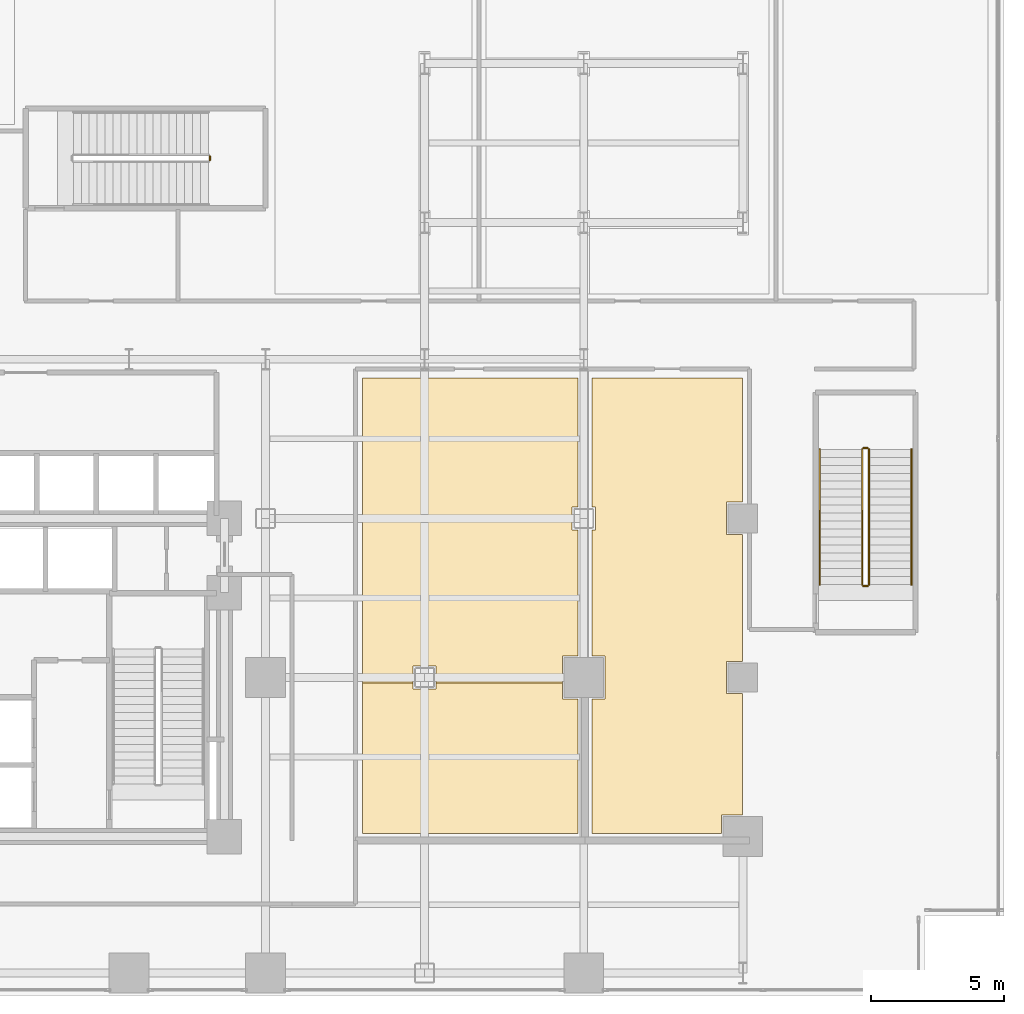
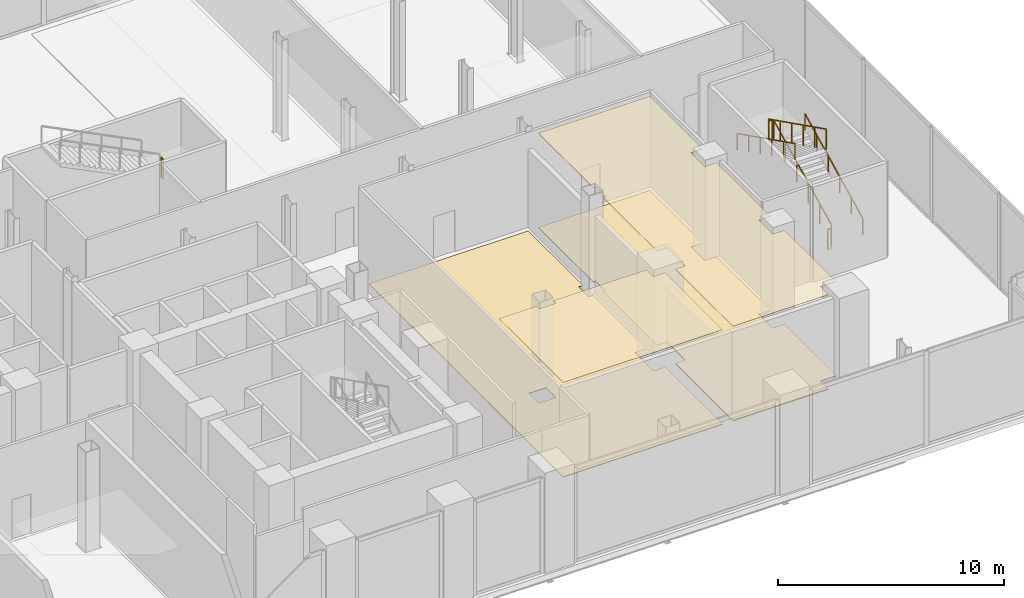
# One storey, part 26 of 27: 7 railings, 4 coverings.
"""IFC4 building model written with IfcOpenShell, lengths in metres."""

from ifc_helpers import new_model, si_unit, direction, frame, origin, origin_2d, place, context, subcontext, project, spatial, polyline, rectangle, outline, extrude, material, layer, layer_set, type_object, element, save


model = new_model("IFC4")

# Units and contexts
model_context = context("Model", 3, precision=1e-05, world=origin(), true_north=direction((0.0, 1.0)))
body_context = subcontext(model_context, "Body", "Model", "MODEL_VIEW")
ifc_project = project(units=[si_unit("LENGTHUNIT", "METRE"), si_unit("AREAUNIT", "SQUARE_METRE"), si_unit("VOLUMEUNIT", "CUBIC_METRE"), si_unit("PLANEANGLEUNIT", "RADIAN"), si_unit("MASSUNIT", "GRAM", prefix="KILO"), si_unit("THERMODYNAMICTEMPERATUREUNIT", "KELVIN"), si_unit("POWERUNIT", "WATT")], contexts=[model_context])

# Site, building, storey
site_placement = place(None, origin())
site = spatial("IfcSite", under=ifc_project, at=site_placement, CompositionType="ELEMENT")
building_placement = place(site_placement, origin())
building = spatial("IfcBuilding", under=site, at=building_placement, Name="Svarakhadi Broadcast Tower", CompositionType="ELEMENT")
storey_placement = place(building_placement, frame((0.0, 0.0, 5.699951171875)))
storey = spatial("IfcBuildingStorey", under=building, at=storey_placement, Name="L01", CompositionType="ELEMENT", Elevation=5.699951171875)

# Coverings
ifc_material_1 = material(Name="Micro-Perforated Mineral Fibre Acoustic Ceiling Tile", Category="mineral_fibre")
ifc_layer_1 = layer(ifc_material_1, 0.02490234375)
ifc_layer_set_1 = layer_set([ifc_layer_1], Name="Micro-Perforated Mineral Fibre Acoustic Ceiling Tile")
covering_type_1 = type_object("IfcCoveringType", Name="Cov_Ceiling_Tile", PredefinedType="CEILING", material=ifc_layer_set_1)
covering_1_placement = place(storey_placement, frame((0.0, 0.0, 5.10009765625)))
element("IfcCovering", 1, at=covering_1_placement, inside=storey, type_object=covering_type_1, Name="L01 L01 Television Production Studio A Acoustic Ceiling", PredefinedType="CEILING", context=body_context, shape_type="SweptSolid", body=[
    extrude(outline(polyline([(46.93994140625, 6.110107421875), (38.81005859375, 6.110107421875), (38.81005859375, 11.7900390625), (40.715087890625, 11.7900390625), (40.715087890625, 11.56494140625), (41.5849609375, 11.56494140625), (41.5849609375, 11.7900390625), (46.340087890625, 11.7900390625), (46.340087890625, 11.18994140625), (46.93994140625, 11.18994140625), (46.93994140625, 6.110107421875)])), origin(), (0.0, 0.0, 1.0), 0.02490234375),
])
covering_2_placement = place(storey_placement, frame((0.0, 0.0, 5.10009765625)))
element("IfcCovering", 2, at=covering_2_placement, inside=storey, type_object=covering_type_1, Name="L01 L01 Production Control Gallery Acoustic Ceiling", PredefinedType="CEILING", context=body_context, shape_type="SweptSolid", body=[
    extrude(outline(polyline([(53.139892578125, 23.2900390625), (53.139892578125, 18.610107421875), (52.5400390625, 18.610107421875), (52.5400390625, 17.389892578125), (53.139892578125, 17.389892578125), (53.139892578125, 12.610107421875), (52.5400390625, 12.610107421875), (52.5400390625, 11.389892578125), (53.139892578125, 11.389892578125), (53.139892578125, 6.81005859375), (52.340087890625, 6.81005859375), (52.340087890625, 6.110107421875), (47.4599609375, 6.110107421875), (47.4599609375, 11.18994140625), (47.9599609375, 11.18994140625), (47.9599609375, 12.81005859375), (47.4599609375, 12.81005859375), (47.4599609375, 17.56494140625), (47.5849609375, 17.56494140625), (47.5849609375, 18.43505859375), (47.4599609375, 18.43505859375), (47.4599609375, 23.2900390625), (53.139892578125, 23.2900390625)])), origin(), (0.0, 0.0, 1.0), 0.02490234375),
])
ifc_material_2 = material(Name="Heavy-Duty Anti-Static Broadcast Raised Access Floor", Category="steel")
ifc_layer_2 = layer(ifc_material_2, 0.050048828125)
ifc_layer_set_2 = layer_set([ifc_layer_2], Name="Heavy-Duty Anti-Static Broadcast Raised Access Floor")
covering_type_2 = type_object("IfcCoveringType", Name="Cov_Floor_Access", PredefinedType="FLOORING", material=ifc_layer_set_2)
covering_3_placement = place(storey_placement, origin())
element("IfcCovering", 3, at=covering_3_placement, inside=storey, type_object=covering_type_2, Name="L01 L01 Production Control Gallery Floor Finish", PredefinedType="FLOORING", context=body_context, shape_type="SweptSolid", body=[
    extrude(outline(polyline([(53.139892578125, 23.2900390625), (53.139892578125, 18.610107421875), (52.5400390625, 18.610107421875), (52.5400390625, 17.389892578125), (53.139892578125, 17.389892578125), (53.139892578125, 12.610107421875), (52.5400390625, 12.610107421875), (52.5400390625, 11.389892578125), (53.139892578125, 11.389892578125), (53.139892578125, 6.81005859375), (52.340087890625, 6.81005859375), (52.340087890625, 6.110107421875), (47.4599609375, 6.110107421875), (47.4599609375, 11.18994140625), (47.9599609375, 11.18994140625), (47.9599609375, 12.81005859375), (47.4599609375, 12.81005859375), (47.4599609375, 17.56494140625), (47.5849609375, 17.56494140625), (47.5849609375, 18.43505859375), (47.4599609375, 18.43505859375), (47.4599609375, 23.2900390625), (53.139892578125, 23.2900390625)])), origin(), (0.0, 0.0, 1.0), 0.050048828125),
])
ifc_material_3 = material(Name="Honed Konkan Basalt Stone Tile Flooring", Category="masonry")
ifc_layer_3 = layer(ifc_material_3, 0.034912109375)
ifc_layer_set_3 = layer_set([ifc_layer_3], Name="Honed Konkan Basalt Stone Tile Flooring")
covering_type_3 = type_object("IfcCoveringType", Name="Cov_Floor_Basalt", PredefinedType="FLOORING", material=ifc_layer_set_3)
covering_4_placement = place(storey_placement, origin())
element("IfcCovering", 4, at=covering_4_placement, inside=storey, type_object=covering_type_3, Name="L01 L01 Television Production Studio A Floor Finish", PredefinedType="FLOORING", context=body_context, shape_type="SweptSolid", body=[
    extrude(outline(polyline([(46.93994140625, 23.2900390625), (46.93994140625, 18.43505859375), (46.715087890625, 18.43505859375), (46.715087890625, 17.56494140625), (46.93994140625, 17.56494140625), (46.93994140625, 12.81005859375), (46.340087890625, 12.81005859375), (46.340087890625, 11.18994140625), (46.93994140625, 11.18994140625), (46.93994140625, 6.110107421875), (38.81005859375, 6.110107421875), (38.81005859375, 23.2900390625), (46.93994140625, 23.2900390625)]), holes=[polyline([(40.715087890625, 11.56494140625), (41.5849609375, 11.56494140625), (41.5849609375, 12.43505859375), (40.715087890625, 12.43505859375), (40.715087890625, 11.56494140625)])]), origin(), (0.0, 0.0, 1.0), 0.03515625),
])

# Railings
ifc_material_4 = material(Name="Anodised Bronze Aluminium AA 6063-T6", Category="aluminium")
railing_type_1 = type_object("IfcRailingType", Name="Guard_Stair_GR01", PredefinedType="GUARDRAIL", material=ifc_material_4)
railing_1_placement = place(storey_placement, frame((33.050048828125, 31.5, 2.699951171875)))
element("IfcRailing", 5, at=railing_1_placement, inside=storey, type_object=railing_type_1, Name="L01 ST-03 stair guard 2", PredefinedType="GUARDRAIL", context=body_context, shape_type="SweptSolid", body=[
    extrude(rectangle(XDim=0.048095703125, YDim=0.048095703125, at=origin_2d()), frame((0.0, 0.0, 1.09619140625), z_axis=(0.0, 1.0, 0.0), x_axis=(-1.0, 0.0, 0.0)), (0.0, 0.0, 1.0), 0.159912109375),
    extrude(rectangle(XDim=0.0419921875, YDim=0.0419921875, at=origin_2d()), origin(), (0.0, 0.0, 1.0), 1.072021484375),
    extrude(rectangle(XDim=0.0419921875, YDim=0.0419921875, at=origin_2d()), frame((0.0, 0.159912109375, 0.0)), (0.0, 0.0, 1.0), 1.072021484375),
])
railing_2_placement = place(storey_placement, frame((57.909912109375, 15.5, 0.150146484375)))
element("IfcRailing", 6, at=railing_2_placement, inside=storey, type_object=railing_type_1, Name="L01 ST-04 stair guard 1", PredefinedType="GUARDRAIL", context=body_context, shape_type="SweptSolid", body=[
    extrude(rectangle(XDim=0.048095703125, YDim=0.048095703125, at=origin_2d()), frame((0.0, 0.0, 1.09619140625), z_axis=(0.0, 0.89444431709, 0.44717934168), x_axis=(-1.0, 0.0, 0.0)), (0.0, 0.0, 1.0), 5.701904296875),
    extrude(rectangle(XDim=0.0419921875, YDim=0.0419921875, at=origin_2d()), origin(), (0.0, 0.0, 1.0), 1.072021484375),
    extrude(rectangle(XDim=0.0419921875, YDim=0.0419921875, at=origin_2d()), frame((0.0, 1.02001953125, 0.510009765625)), (0.0, 0.0, 1.0), 1.072021484375),
    extrude(rectangle(XDim=0.0419921875, YDim=0.0419921875, at=origin_2d()), frame((0.0, 2.0400390625, 1.02001953125)), (0.0, 0.0, 1.0), 1.072021484375),
    extrude(rectangle(XDim=0.0419921875, YDim=0.0419921875, at=origin_2d()), frame((0.0, 3.06005859375, 1.52978515625)), (0.0, 0.0, 1.0), 1.072021484375),
    extrude(rectangle(XDim=0.0419921875, YDim=0.0419921875, at=origin_2d()), frame((0.0, 4.080078125, 2.039794921875)), (0.0, 0.0, 1.0), 1.072021484375),
    extrude(rectangle(XDim=0.0419921875, YDim=0.0419921875, at=origin_2d()), frame((0.0, 5.10009765625, 2.5498046875)), (0.0, 0.0, 1.0), 1.072021484375),
])
railing_3_placement = place(storey_placement, frame((57.860107421875, 20.64990234375, 2.699951171875)))
element("IfcRailing", 7, at=railing_3_placement, inside=storey, type_object=railing_type_1, Name="L01 ST-04 stair guard 2", PredefinedType="GUARDRAIL", context=body_context, shape_type="SweptSolid", body=[
    extrude(rectangle(XDim=0.048095703125, YDim=0.048095703125, at=origin_2d()), frame((0.0, 0.0, 1.09619140625), z_axis=(-1.0, 0.0, 0.0), x_axis=(0.0, -1.0, 0.0)), (0.0, 0.0, 1.0), 0.16015625),
    extrude(rectangle(XDim=0.0419921875, YDim=0.0419921875, at=origin_2d()), origin(), (0.0, 0.0, 1.0), 1.072021484375),
    extrude(rectangle(XDim=0.0419921875, YDim=0.0419921875, at=origin_2d()), frame((-0.16015625, 0.0, 0.0)), (0.0, 0.0, 1.0), 1.072021484375),
])
railing_4_placement = place(storey_placement, frame((57.64990234375, 20.60009765625, 2.85009765625)))
element("IfcRailing", 8, at=railing_4_placement, inside=storey, type_object=railing_type_1, Name="L01 ST-04 stair guard 3", PredefinedType="GUARDRAIL", context=body_context, shape_type="SweptSolid", body=[
    extrude(rectangle(XDim=0.048095703125, YDim=0.048095703125, at=origin_2d()), frame((0.0, 0.0, 1.09619140625), z_axis=(0.0, -0.894427191, 0.4472135955), x_axis=(1.0, 0.0, 0.0)), (0.0, 0.0, 1.0), 5.7021484375),
    extrude(rectangle(XDim=0.0419921875, YDim=0.0419921875, at=origin_2d()), origin(), (0.0, 0.0, 1.0), 1.072021484375),
    extrude(rectangle(XDim=0.0419921875, YDim=0.0419921875, at=origin_2d()), frame((0.0, -1.02001953125, 0.510009765625)), (0.0, 0.0, 1.0), 1.072021484375),
    extrude(rectangle(XDim=0.0419921875, YDim=0.0419921875, at=origin_2d()), frame((0.0, -2.0400390625, 1.02001953125)), (0.0, 0.0, 1.0), 1.072021484375),
    extrude(rectangle(XDim=0.0419921875, YDim=0.0419921875, at=origin_2d()), frame((0.0, -3.06005859375, 1.530029296875)), (0.0, 0.0, 1.0), 1.072021484375),
    extrude(rectangle(XDim=0.0419921875, YDim=0.0419921875, at=origin_2d()), frame((0.0, -4.080078125, 2.0400390625)), (0.0, 0.0, 1.0), 1.072021484375),
    extrude(rectangle(XDim=0.0419921875, YDim=0.0419921875, at=origin_2d()), frame((0.0, -5.10009765625, 2.550048828125)), (0.0, 0.0, 1.0), 1.072021484375),
])
railing_5_placement = place(storey_placement, frame((57.860107421875, 15.449951171875, 0.0)))
element("IfcRailing", 9, at=railing_5_placement, inside=storey, type_object=railing_type_1, Name="L01 ST-04 stair guard 4", PredefinedType="GUARDRAIL", context=body_context, shape_type="SweptSolid", body=[
    extrude(rectangle(XDim=0.048095703125, YDim=0.048095703125, at=origin_2d()), frame((0.0, 0.0, 1.09619140625), z_axis=(-1.0, 0.0, 0.0), x_axis=(0.0, -1.0, 0.0)), (0.0, 0.0, 1.0), 0.16015625),
    extrude(rectangle(XDim=0.0419921875, YDim=0.0419921875, at=origin_2d()), origin(), (0.0, 0.0, 1.0), 1.072021484375),
    extrude(rectangle(XDim=0.0419921875, YDim=0.0419921875, at=origin_2d()), frame((-0.16015625, 0.0, 0.0)), (0.0, 0.0, 1.0), 1.072021484375),
])
railing_type_2 = type_object("IfcRailingType", Name="Handrail_Stair_HR01", PredefinedType="HANDRAIL", material=ifc_material_4)
railing_6_placement = place(storey_placement, frame((59.510009765625, 15.5, 0.150146484375)))
element("IfcRailing", 10, at=railing_6_placement, inside=storey, type_object=railing_type_2, Name="L01 ST-04 stair handrail 1", PredefinedType="HANDRAIL", context=body_context, shape_type="SweptSolid", body=[
    extrude(rectangle(XDim=0.048095703125, YDim=0.048095703125, at=origin_2d()), frame((0.0, 0.0, 0.8759765625), z_axis=(0.0, 0.89444431709, 0.44717934168), x_axis=(-1.0, 0.0, 0.0)), (0.0, 0.0, 1.0), 5.701904296875),
    extrude(rectangle(XDim=0.0419921875, YDim=0.0419921875, at=origin_2d()), origin(), (0.0, 0.0, 1.0), 0.851806640625),
    extrude(rectangle(XDim=0.0419921875, YDim=0.0419921875, at=origin_2d()), frame((0.0, 1.02001953125, 0.510009765625)), (0.0, 0.0, 1.0), 0.851806640625),
    extrude(rectangle(XDim=0.0419921875, YDim=0.0419921875, at=origin_2d()), frame((0.0, 2.0400390625, 1.02001953125)), (0.0, 0.0, 1.0), 0.851806640625),
    extrude(rectangle(XDim=0.0419921875, YDim=0.0419921875, at=origin_2d()), frame((0.0, 3.06005859375, 1.52978515625)), (0.0, 0.0, 1.0), 0.851806640625),
    extrude(rectangle(XDim=0.0419921875, YDim=0.0419921875, at=origin_2d()), frame((0.0, 4.080078125, 2.039794921875)), (0.0, 0.0, 1.0), 0.851806640625),
    extrude(rectangle(XDim=0.0419921875, YDim=0.0419921875, at=origin_2d()), frame((0.0, 5.10009765625, 2.5498046875)), (0.0, 0.0, 1.0), 0.851806640625),
])
railing_7_placement = place(storey_placement, frame((56.050048828125, 20.60009765625, 2.85009765625)))
element("IfcRailing", 11, at=railing_7_placement, inside=storey, type_object=railing_type_2, Name="L01 ST-04 stair handrail 2", PredefinedType="HANDRAIL", context=body_context, shape_type="SweptSolid", body=[
    extrude(rectangle(XDim=0.048095703125, YDim=0.048095703125, at=origin_2d()), frame((0.0, 0.0, 0.8759765625), z_axis=(0.0, -0.894427191, 0.4472135955), x_axis=(1.0, 0.0, 0.0)), (0.0, 0.0, 1.0), 5.7021484375),
    extrude(rectangle(XDim=0.0419921875, YDim=0.0419921875, at=origin_2d()), origin(), (0.0, 0.0, 1.0), 0.851806640625),
    extrude(rectangle(XDim=0.0419921875, YDim=0.0419921875, at=origin_2d()), frame((0.0, -1.02001953125, 0.510009765625)), (0.0, 0.0, 1.0), 0.851806640625),
    extrude(rectangle(XDim=0.0419921875, YDim=0.0419921875, at=origin_2d()), frame((0.0, -2.0400390625, 1.02001953125)), (0.0, 0.0, 1.0), 0.851806640625),
    extrude(rectangle(XDim=0.0419921875, YDim=0.0419921875, at=origin_2d()), frame((0.0, -3.06005859375, 1.530029296875)), (0.0, 0.0, 1.0), 0.851806640625),
    extrude(rectangle(XDim=0.0419921875, YDim=0.0419921875, at=origin_2d()), frame((0.0, -4.080078125, 2.0400390625)), (0.0, 0.0, 1.0), 0.851806640625),
    extrude(rectangle(XDim=0.0419921875, YDim=0.0419921875, at=origin_2d()), frame((0.0, -5.10009765625, 2.550048828125)), (0.0, 0.0, 1.0), 0.851806640625),
])

save(model, "model.ifc")
